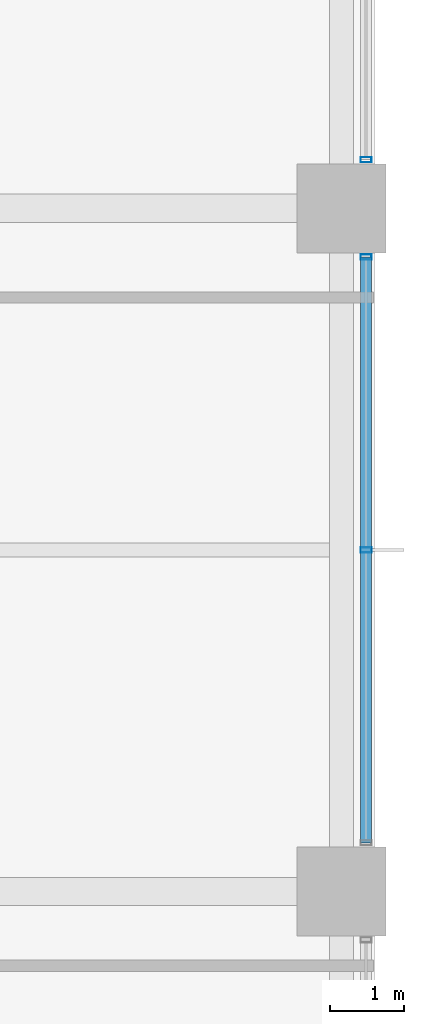
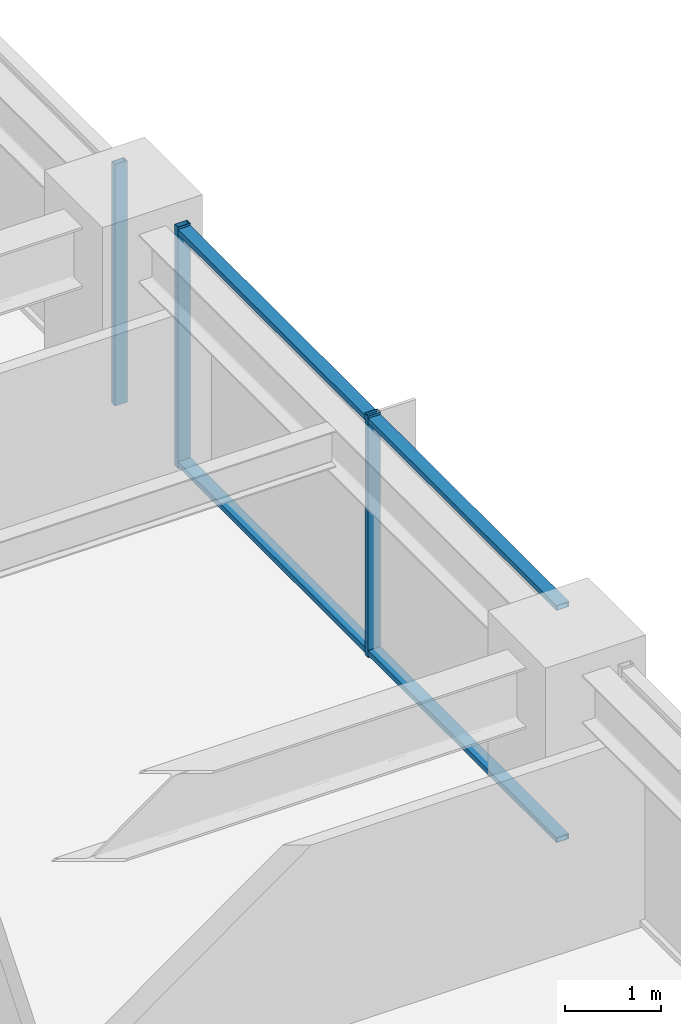
# One storey, part 16 of 38: 5 members, 2 elements without a shape of their own.
"""IFC4 building model written with IfcOpenShell, lengths in metres."""

from ifc_helpers import new_model, si_unit, direction, frame, origin, origin_2d, place, context, subcontext, project, spatial, hollow_rectangle, extrude, material, material_profile, profile_set, type_object, element, aggregate, save


model = new_model("IFC4")

# Units and contexts
model_context = context("Model", 3, precision=1e-05, world=origin(), true_north=direction((0.0, 1.0)))
body_context = subcontext(model_context, "Body", "Model", "MODEL_VIEW")
ifc_project = project(units=[si_unit("LENGTHUNIT", "METRE"), si_unit("AREAUNIT", "SQUARE_METRE"), si_unit("VOLUMEUNIT", "CUBIC_METRE"), si_unit("PLANEANGLEUNIT", "RADIAN"), si_unit("MASSUNIT", "GRAM", prefix="KILO")], contexts=[model_context])

# Site, building, storey
site_placement = place(None, origin())
site = spatial("IfcSite", under=ifc_project, at=site_placement, CompositionType="ELEMENT")
building_placement = place(site_placement, origin())
building = spatial("IfcBuilding", under=site, at=building_placement, Name="Kolvaren Belvedere", CompositionType="ELEMENT")
storey_placement = place(building_placement, frame((0.0, 0.0, 30.39990234375)))
storey = spatial("IfcBuildingStorey", under=building, at=storey_placement, Name="L08", CompositionType="ELEMENT", Elevation=30.39990234375)

# Curtain wall, member
ifc_material_1 = material(Name="Anodised pale-metal aluminium AA 6063-T6", Category="aluminium")
curtain_wall_type = type_object("IfcCurtainWallType", Name="CW-Z1-LOW", PredefinedType="NOTDEFINED", material=ifc_material_1)
curtain_wall_1_placement = place(storey_placement, origin())
curtain_wall_1 = element("IfcCurtainWall", 1, at=curtain_wall_1_placement, inside=storey, type_object=curtain_wall_type, Name="L08 Unitised Curtain Wall FCW-L08-E-B1", PredefinedType="NOTDEFINED")
ifc_material_2 = material(Name="Anodised pale-metal aluminium AA 6063-T6", Category="aluminium")
ifc_material_profile_1 = material_profile(ifc_material_2, hollow_rectangle(XDim=0.070068359375, YDim=0.14990234375, WallThickness=0.004150390625, at=origin_2d()), Name="ALU-MUL-150X70")
ifc_profile_set_1 = profile_set([ifc_material_profile_1], Name="Anodised pale-metal aluminium AA 6063-T6")
member_type_1 = type_object("IfcMemberType", Name="CW-MUL-150", PredefinedType="MULLION", material=ifc_profile_set_1)
member_1_placement = place(storey_placement, frame((21.8798828125, 5.2548828125, 0.0), z_axis=(0.0, 0.0, 1.0), x_axis=(0.0, 1.0, 0.0)))
member_1 = element("IfcMember", 2, at=member_1_placement, type_object=member_type_1, Name="FCW-L08-E-B1 Unitised Mullion 3", PredefinedType="MULLION", context=body_context, shape_type="SweptSolid", body=[
    extrude(hollow_rectangle(XDim=0.070068359375, YDim=0.14990234375, WallThickness=0.004150390625, at=origin_2d()), origin(), (0.0, 0.0, 1.0), 3.06005859375),
])
aggregate(curtain_wall_1, [member_1])

# Curtain wall, members
curtain_wall_2_placement = place(storey_placement, origin())
curtain_wall_2 = element("IfcCurtainWall", 3, at=curtain_wall_2_placement, inside=storey, type_object=curtain_wall_type, Name="L08 Unitised Curtain Wall FCW-L08-E-B2", PredefinedType="NOTDEFINED")
member_2_placement = place(storey_placement, frame((21.8798828125, 3.945068359375, 0.0), z_axis=(0.0, 0.0, 1.0), x_axis=(0.0, 1.0, 0.0)))
member_2 = element("IfcMember", 4, at=member_2_placement, type_object=member_type_1, Name="FCW-L08-E-B2 Unitised Mullion 1", PredefinedType="MULLION", context=body_context, shape_type="SweptSolid", body=[
    extrude(hollow_rectangle(XDim=0.070068359375, YDim=0.14990234375, WallThickness=0.004150390625, at=origin_2d()), origin(), (0.0, 0.0, 1.0), 3.06005859375),
])
member_3_placement = place(storey_placement, frame((21.8798828125, 0.0, 0.0), z_axis=(0.0, 0.0, 1.0), x_axis=(0.0, 1.0, 0.0)))
member_3 = element("IfcMember", 5, at=member_3_placement, type_object=member_type_1, Name="FCW-L08-E-B2 Unitised Mullion 2", PredefinedType="MULLION", context=body_context, shape_type="SweptSolid", body=[
    extrude(hollow_rectangle(XDim=0.070068359375, YDim=0.14990234375, WallThickness=0.004150390625, at=origin_2d()), origin(), (0.0, 0.0, 1.0), 3.06005859375),
])
ifc_material_3 = material(Name="Anodised pale-metal aluminium AA 6063-T6", Category="aluminium")
ifc_material_profile_2 = material_profile(ifc_material_3, hollow_rectangle(XDim=0.06494140625, YDim=0.14990234375, WallThickness=0.00390625, at=origin_2d()), Name="ALU-TRN-150X65")
ifc_profile_set_2 = profile_set([ifc_material_profile_2], Name="Anodised pale-metal aluminium AA 6063-T6")
member_type_2 = type_object("IfcMemberType", Name="CW-TRN-150", PredefinedType="USERDEFINED", material=ifc_profile_set_2)
member_4_placement = place(storey_placement, frame((21.8798828125, 3.945068359375, 0.06005859375), z_axis=(0.0, -1.0, 0.0), x_axis=(0.0, 0.0, 1.0)))
member_4 = element("IfcMember", 6, at=member_4_placement, type_object=member_type_2, Name="FCW-L08-E-B2 Sill Transom", ObjectType="TRANSOM", PredefinedType="USERDEFINED", context=body_context, shape_type="SweptSolid", body=[
    extrude(hollow_rectangle(XDim=0.06494140625, YDim=0.14990234375, WallThickness=0.00390625, at=origin_2d()), origin(), (0.0, 0.0, 1.0), 7.89013671875),
])
member_5_placement = place(storey_placement, frame((21.8798828125, 3.945068359375, 3.0), z_axis=(0.0, -1.0, 0.0), x_axis=(0.0, 0.0, 1.0)))
member_5 = element("IfcMember", 7, at=member_5_placement, type_object=member_type_2, Name="FCW-L08-E-B2 Head Transom", ObjectType="TRANSOM", PredefinedType="USERDEFINED", context=body_context, shape_type="SweptSolid", body=[
    extrude(hollow_rectangle(XDim=0.06494140625, YDim=0.14990234375, WallThickness=0.00390625, at=origin_2d()), origin(), (0.0, 0.0, 1.0), 7.89013671875),
])
aggregate(curtain_wall_2, [member_2, member_3, member_4, member_5])

save(model, "model.ifc")
